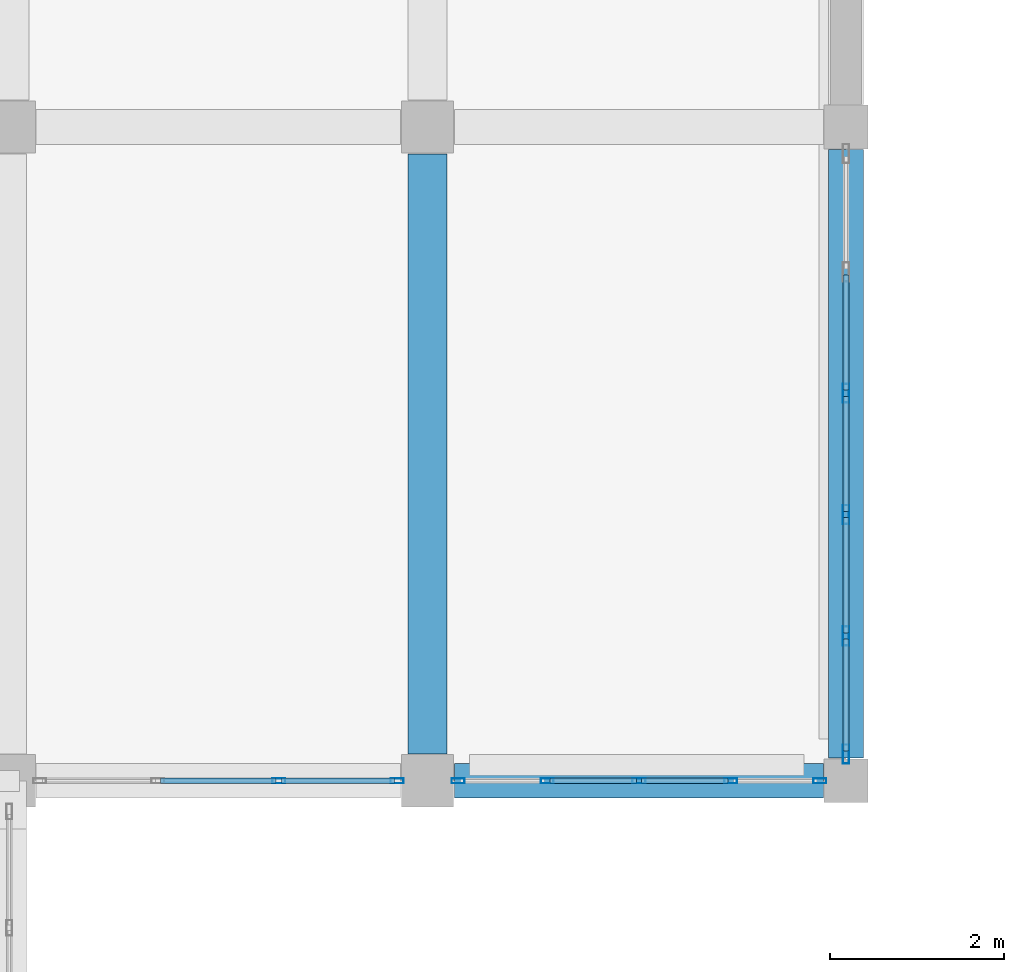
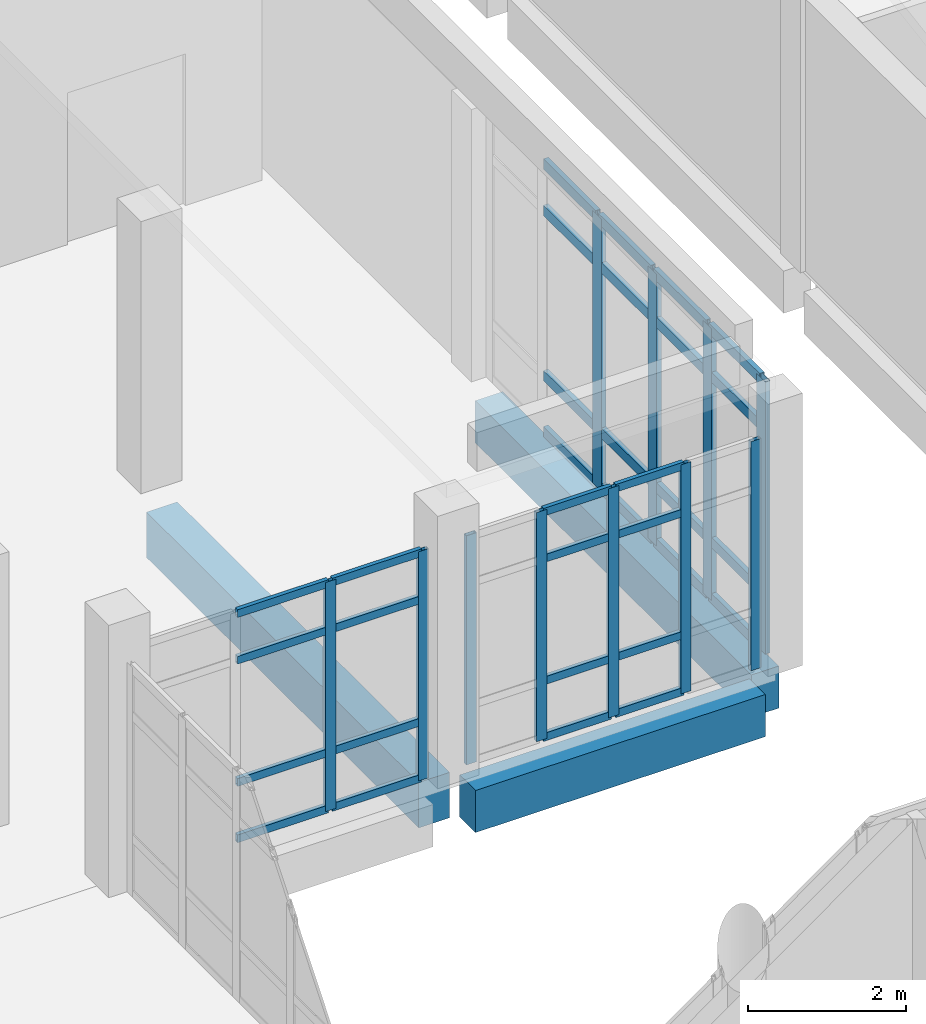
# One storey, part 97 of 164: 43 members, 3 beams, 3 elements without a shape of their own.
"""IFC4 building model written with IfcOpenShell, lengths in metres."""

from ifc_helpers import new_model, si_unit, direction, frame, origin, origin_2d, place, context, subcontext, project, spatial, rectangle, hollow_rectangle, extrude, material, layer, layer_set, material_profile, profile_set, type_object, element, aggregate, save


model = new_model("IFC4")

# Units and contexts
model_context = context("Model", 3, precision=1e-05, world=origin(), true_north=direction((0.0, 1.0)))
body_context = subcontext(model_context, "Body", "Model", "MODEL_VIEW")
ifc_project = project(units=[si_unit("LENGTHUNIT", "METRE"), si_unit("AREAUNIT", "SQUARE_METRE"), si_unit("VOLUMEUNIT", "CUBIC_METRE"), si_unit("PLANEANGLEUNIT", "RADIAN"), si_unit("MASSUNIT", "GRAM", prefix="KILO")], contexts=[model_context])

# Site, building, storey
site_placement = place(None, origin())
site = spatial("IfcSite", under=ifc_project, at=site_placement, CompositionType="ELEMENT")
building_placement = place(site_placement, origin())
building = spatial("IfcBuilding", under=site, at=building_placement, Name="Mawjan Specialist Oncology Clinic", CompositionType="ELEMENT")
storey_placement = place(building_placement, frame((0.0, 0.0, 5.0)))
storey = spatial("IfcBuildingStorey", under=building, at=storey_placement, Name="L01", CompositionType="ELEMENT", Elevation=5.0)

# Beam
ifc_material_1 = material(Name="Concrete C40/50", Category="concrete")
ifc_material_profile_1 = material_profile(ifc_material_1, rectangle(XDim=0.449951171875, YDim=0.699951171875, at=origin_2d()), Name="RC BM 450x700", Category="concrete")
ifc_profile_set_1 = profile_set([ifc_material_profile_1], Name="Concrete C40/50")
beam_type_1 = type_object("IfcBeamType", Name="BM-450x700", PredefinedType="BEAM", material=ifc_profile_set_1)
beam_1_placement = place(storey_placement, frame((98.39990234375, 83.610107421875, -0.64990234375), z_axis=(0.0, 1.0, 0.0), x_axis=(-1.0, 0.0, 0.0)))
element("IfcBeam", 1, at=beam_1_placement, inside=storey, type_object=beam_type_1, Name="L01 Collector Beam BM-L01-0546", PredefinedType="BEAM", context=body_context, shape_type="SweptSolid", body=[
    extrude(rectangle(XDim=0.449951171875, YDim=0.699951171875, at=origin_2d()), origin(), (0.0, 0.0, 1.0), 6.8798828125),
])

# Curtain wall, members
ifc_material_2 = material(Name="Unitised spectrally selective aluminium curtain wall", Category="aluminium")
ifc_layer_1 = layer(ifc_material_2, 0.179931640625, Name="Unitised spectrally selective aluminium curtain wall", Category="aluminium")
ifc_layer_set_1 = layer_set([ifc_layer_1], Name="Unitised spectrally selective aluminium curtain wall")
curtain_wall_type_1 = type_object("IfcCurtainWallType", Name="CW-66", PredefinedType="NOTDEFINED", material=ifc_layer_set_1)
curtain_wall_1_placement = place(storey_placement, origin())
curtain_wall_1 = element("IfcCurtainWall", 2, at=curtain_wall_1_placement, inside=storey, type_object=curtain_wall_type_1, Name="L01 Unitised Curtain Wall CW-L01-126", PredefinedType="NOTDEFINED")
ifc_material_3 = material(Name="Thermally broken aluminium 6063-T6", Category="aluminium")
ifc_material_profile_2 = material_profile(ifc_material_3, hollow_rectangle(XDim=0.06005859375, YDim=0.14990234375, WallThickness=0.00390625, at=origin_2d()), Name="ALU MULLION 150x60x4", Category="aluminium")
ifc_profile_set_2 = profile_set([ifc_material_profile_2], Name="Thermally broken aluminium 6063-T6")
member_type_1 = type_object("IfcMemberType", Name="CW-M150", PredefinedType="MULLION", material=ifc_profile_set_2)
member_1_placement = place(storey_placement, frame((102.89990234375, 83.300048828125, 0.0), z_axis=(0.0, 0.0, 1.0), x_axis=(0.0, -1.0, 0.0)))
member_1 = element("IfcMember", 3, at=member_1_placement, type_object=member_type_1, Name="CW-66 mullion 1", PredefinedType="MULLION", context=body_context, shape_type="SweptSolid", body=[
    extrude(hollow_rectangle(XDim=0.06005859375, YDim=0.14990234375, WallThickness=0.00390625, at=origin_2d()), origin(), (0.0, 0.0, 1.0), 3.534912109375),
])
member_2_placement = place(storey_placement, frame((101.87744140625, 83.300048828125, 0.0), z_axis=(0.0, 0.0, 1.0), x_axis=(0.0, -1.0, 0.0)))
member_2 = element("IfcMember", 4, at=member_2_placement, type_object=member_type_1, Name="CW-66 mullion 2", PredefinedType="MULLION", context=body_context, shape_type="SweptSolid", body=[
    extrude(hollow_rectangle(XDim=0.06005859375, YDim=0.14990234375, WallThickness=0.00390625, at=origin_2d()), origin(), (0.0, 0.0, 1.0), 3.534912109375),
])
member_3_placement = place(storey_placement, frame((100.824951171875, 83.300048828125, 0.0), z_axis=(0.0, 0.0, 1.0), x_axis=(0.0, -1.0, 0.0)))
member_3 = element("IfcMember", 5, at=member_3_placement, type_object=member_type_1, Name="CW-66 mullion 3", PredefinedType="MULLION", context=body_context, shape_type="SweptSolid", body=[
    extrude(hollow_rectangle(XDim=0.06005859375, YDim=0.14990234375, WallThickness=0.00390625, at=origin_2d()), origin(), (0.0, 0.0, 1.0), 3.534912109375),
])
member_4_placement = place(storey_placement, frame((99.7724609375, 83.300048828125, 0.0), z_axis=(0.0, 0.0, 1.0), x_axis=(0.0, -1.0, 0.0)))
member_4 = element("IfcMember", 6, at=member_4_placement, type_object=member_type_1, Name="CW-66 mullion 4", PredefinedType="MULLION", context=body_context, shape_type="SweptSolid", body=[
    extrude(hollow_rectangle(XDim=0.06005859375, YDim=0.14990234375, WallThickness=0.00390625, at=origin_2d()), origin(), (0.0, 0.0, 1.0), 3.534912109375),
])
member_5_placement = place(storey_placement, frame((98.75, 83.300048828125, 0.0), z_axis=(0.0, 0.0, 1.0), x_axis=(0.0, -1.0, 0.0)))
member_5 = element("IfcMember", 7, at=member_5_placement, type_object=member_type_1, Name="CW-66 mullion 5", PredefinedType="MULLION", context=body_context, shape_type="SweptSolid", body=[
    extrude(hollow_rectangle(XDim=0.06005859375, YDim=0.14990234375, WallThickness=0.00390625, at=origin_2d()), origin(), (0.0, 0.0, 1.0), 3.534912109375),
])

ifc_material_4 = material(Name="Unitised spectrally selective aluminium curtain wall", Category="aluminium")
ifc_layer_2 = layer(ifc_material_4, 0.179931640625, Name="Unitised spectrally selective aluminium curtain wall", Category="aluminium")
ifc_layer_set_2 = layer_set([ifc_layer_2], Name="Unitised spectrally selective aluminium curtain wall")
curtain_wall_type_2 = type_object("IfcCurtainWallType", Name="CW-59", PredefinedType="NOTDEFINED", material=ifc_layer_set_2)
curtain_wall_2_placement = place(storey_placement, origin())
curtain_wall_2 = element("IfcCurtainWall", 8, at=curtain_wall_2_placement, inside=storey, type_object=curtain_wall_type_2, Name="L01 Unitised Curtain Wall CW-L01-127", PredefinedType="NOTDEFINED")
member_6_placement = place(storey_placement, frame((98.050048828125, 83.300048828125, 0.0), z_axis=(0.0, 0.0, 1.0), x_axis=(0.0, -1.0, 0.0)))
member_6 = element("IfcMember", 9, at=member_6_placement, type_object=member_type_1, Name="CW-59 mullion 1", PredefinedType="MULLION", context=body_context, shape_type="SweptSolid", body=[
    extrude(hollow_rectangle(XDim=0.06005859375, YDim=0.14990234375, WallThickness=0.00390625, at=origin_2d()), origin(), (0.0, 0.0, 1.0), 3.534912109375),
])
member_7_placement = place(storey_placement, frame((96.693359375, 83.300048828125, 0.0), z_axis=(0.0, 0.0, 1.0), x_axis=(0.0, -1.0, 0.0)))
member_7 = element("IfcMember", 10, at=member_7_placement, type_object=member_type_1, Name="CW-59 mullion 2", PredefinedType="MULLION", context=body_context, shape_type="SweptSolid", body=[
    extrude(hollow_rectangle(XDim=0.06005859375, YDim=0.14990234375, WallThickness=0.00390625, at=origin_2d()), origin(), (0.0, 0.0, 1.0), 3.534912109375),
])

ifc_material_5 = material(Name="Unitised spectrally selective aluminium curtain wall", Category="aluminium")
ifc_layer_3 = layer(ifc_material_5, 0.179931640625, Name="Unitised spectrally selective aluminium curtain wall", Category="aluminium")
ifc_layer_set_3 = layer_set([ifc_layer_3], Name="Unitised spectrally selective aluminium curtain wall")
curtain_wall_type_3 = type_object("IfcCurtainWallType", Name="CW-65", PredefinedType="NOTDEFINED", material=ifc_layer_set_3)
curtain_wall_3_placement = place(storey_placement, origin())
curtain_wall_3 = element("IfcCurtainWall", 11, at=curtain_wall_3_placement, inside=storey, type_object=curtain_wall_type_3, Name="L01 Unitised Curtain Wall CW-L01-125", PredefinedType="NOTDEFINED")
ifc_material_6 = material(Name="Thermally broken aluminium 6063-T6", Category="aluminium")
ifc_material_profile_3 = material_profile(ifc_material_6, hollow_rectangle(XDim=0.070068359375, YDim=0.219970703125, WallThickness=0.00390625, at=origin_2d()), Name="ALU MULLION 220x70x4", Category="aluminium")
ifc_profile_set_3 = profile_set([ifc_material_profile_3], Name="Thermally broken aluminium 6063-T6")
member_type_2 = type_object("IfcMemberType", Name="CW-M220", PredefinedType="MULLION", material=ifc_profile_set_3)
member_8_placement = place(storey_placement, frame((103.199951171875, 87.74609375, 0.0), z_axis=(0.0, 0.0, 1.0), x_axis=(1.0, 0.0, 0.0)))
member_8 = element("IfcMember", 12, at=member_8_placement, type_object=member_type_2, Name="CW-65 mullion 3", PredefinedType="MULLION", context=body_context, shape_type="SweptSolid", body=[
    extrude(hollow_rectangle(XDim=0.070068359375, YDim=0.219970703125, WallThickness=0.00390625, at=origin_2d()), origin(), (0.0, 0.0, 1.0), 4.199951171875),
])
member_9_placement = place(storey_placement, frame((103.199951171875, 86.35400390625, 0.0), z_axis=(0.0, 0.0, 1.0), x_axis=(1.0, 0.0, 0.0)))
member_9 = element("IfcMember", 13, at=member_9_placement, type_object=member_type_2, Name="CW-65 mullion 4", PredefinedType="MULLION", context=body_context, shape_type="SweptSolid", body=[
    extrude(hollow_rectangle(XDim=0.070068359375, YDim=0.219970703125, WallThickness=0.00390625, at=origin_2d()), origin(), (0.0, 0.0, 1.0), 4.199951171875),
])
member_10_placement = place(storey_placement, frame((103.199951171875, 84.9619140625, 0.0), z_axis=(0.0, 0.0, 1.0), x_axis=(1.0, 0.0, 0.0)))
member_10 = element("IfcMember", 14, at=member_10_placement, type_object=member_type_2, Name="CW-65 mullion 5", PredefinedType="MULLION", context=body_context, shape_type="SweptSolid", body=[
    extrude(hollow_rectangle(XDim=0.070068359375, YDim=0.219970703125, WallThickness=0.00390625, at=origin_2d()), origin(), (0.0, 0.0, 1.0), 4.199951171875),
])
member_11_placement = place(storey_placement, frame((103.199951171875, 83.60498046875, 0.0), z_axis=(0.0, 0.0, 1.0), x_axis=(1.0, 0.0, 0.0)))
member_11 = element("IfcMember", 15, at=member_11_placement, type_object=member_type_2, Name="CW-65 mullion 6", PredefinedType="MULLION", context=body_context, shape_type="SweptSolid", body=[
    extrude(hollow_rectangle(XDim=0.070068359375, YDim=0.219970703125, WallThickness=0.00390625, at=origin_2d()), origin(), (0.0, 0.0, 1.0), 4.199951171875),
])

# Member
ifc_material_7 = material(Name="Thermally broken aluminium 6063-T6", Category="aluminium")
ifc_material_profile_4 = material_profile(ifc_material_7, hollow_rectangle(XDim=0.06005859375, YDim=0.1201171875, WallThickness=0.00390625, at=origin_2d()), Name="ALU TRANSOM 120x60x4", Category="aluminium")
ifc_profile_set_4 = profile_set([ifc_material_profile_4], Name="Thermally broken aluminium 6063-T6")
member_type_3 = type_object("IfcMemberType", Name="CW-T120", PredefinedType="USERDEFINED", material=ifc_profile_set_4)
member_12_placement = place(storey_placement, frame((101.847412109375, 83.300048828125, 0.030029296875), z_axis=(-1.0, 0.0, 0.0), x_axis=(0.0, -1.0, 0.0)))
member_12 = element("IfcMember", 16, at=member_12_placement, type_object=member_type_3, Name="CW-66 transom 2.1", ObjectType="TRANSOM", PredefinedType="USERDEFINED", context=body_context, shape_type="SweptSolid", body=[
    extrude(hollow_rectangle(XDim=0.06005859375, YDim=0.1201171875, WallThickness=0.00390625, at=origin_2d()), origin(), (0.0, 0.0, 1.0), 0.992431640625),
])

member_13_placement = place(storey_placement, frame((101.847412109375, 83.300048828125, 0.89990234375), z_axis=(-1.0, 0.0, 0.0), x_axis=(0.0, -1.0, 0.0)))
member_13 = element("IfcMember", 17, at=member_13_placement, type_object=member_type_3, Name="CW-66 transom 2.2", ObjectType="TRANSOM", PredefinedType="USERDEFINED", context=body_context, shape_type="SweptSolid", body=[
    extrude(hollow_rectangle(XDim=0.06005859375, YDim=0.1201171875, WallThickness=0.00390625, at=origin_2d()), origin(), (0.0, 0.0, 1.0), 0.992431640625),
])

member_14_placement = place(storey_placement, frame((101.847412109375, 83.300048828125, 2.784912109375), z_axis=(-1.0, 0.0, 0.0), x_axis=(0.0, -1.0, 0.0)))
member_14 = element("IfcMember", 18, at=member_14_placement, type_object=member_type_3, Name="CW-66 transom 2.3", ObjectType="TRANSOM", PredefinedType="USERDEFINED", context=body_context, shape_type="SweptSolid", body=[
    extrude(hollow_rectangle(XDim=0.06005859375, YDim=0.1201171875, WallThickness=0.00390625, at=origin_2d()), origin(), (0.0, 0.0, 1.0), 0.992431640625),
])

member_15_placement = place(storey_placement, frame((101.847412109375, 83.300048828125, 3.5048828125), z_axis=(-1.0, 0.0, 0.0), x_axis=(0.0, -1.0, 0.0)))
member_15 = element("IfcMember", 19, at=member_15_placement, type_object=member_type_3, Name="CW-66 transom 2.4", ObjectType="TRANSOM", PredefinedType="USERDEFINED", context=body_context, shape_type="SweptSolid", body=[
    extrude(hollow_rectangle(XDim=0.06005859375, YDim=0.1201171875, WallThickness=0.00390625, at=origin_2d()), origin(), (0.0, 0.0, 1.0), 0.992431640625),
])

member_16_placement = place(storey_placement, frame((100.794921875, 83.300048828125, 0.030029296875), z_axis=(-1.0, 0.0, 0.0), x_axis=(0.0, -1.0, 0.0)))
member_16 = element("IfcMember", 20, at=member_16_placement, type_object=member_type_3, Name="CW-66 transom 3.1", ObjectType="TRANSOM", PredefinedType="USERDEFINED", context=body_context, shape_type="SweptSolid", body=[
    extrude(hollow_rectangle(XDim=0.06005859375, YDim=0.1201171875, WallThickness=0.00390625, at=origin_2d()), origin(), (0.0, 0.0, 1.0), 0.992431640625),
])

member_17_placement = place(storey_placement, frame((100.794921875, 83.300048828125, 0.89990234375), z_axis=(-1.0, 0.0, 0.0), x_axis=(0.0, -1.0, 0.0)))
member_17 = element("IfcMember", 21, at=member_17_placement, type_object=member_type_3, Name="CW-66 transom 3.2", ObjectType="TRANSOM", PredefinedType="USERDEFINED", context=body_context, shape_type="SweptSolid", body=[
    extrude(hollow_rectangle(XDim=0.06005859375, YDim=0.1201171875, WallThickness=0.00390625, at=origin_2d()), origin(), (0.0, 0.0, 1.0), 0.992431640625),
])

member_18_placement = place(storey_placement, frame((100.794921875, 83.300048828125, 2.784912109375), z_axis=(-1.0, 0.0, 0.0), x_axis=(0.0, -1.0, 0.0)))
member_18 = element("IfcMember", 22, at=member_18_placement, type_object=member_type_3, Name="CW-66 transom 3.3", ObjectType="TRANSOM", PredefinedType="USERDEFINED", context=body_context, shape_type="SweptSolid", body=[
    extrude(hollow_rectangle(XDim=0.06005859375, YDim=0.1201171875, WallThickness=0.00390625, at=origin_2d()), origin(), (0.0, 0.0, 1.0), 0.992431640625),
])

member_19_placement = place(storey_placement, frame((100.794921875, 83.300048828125, 3.5048828125), z_axis=(-1.0, 0.0, 0.0), x_axis=(0.0, -1.0, 0.0)))
member_19 = element("IfcMember", 23, at=member_19_placement, type_object=member_type_3, Name="CW-66 transom 3.4", ObjectType="TRANSOM", PredefinedType="USERDEFINED", context=body_context, shape_type="SweptSolid", body=[
    extrude(hollow_rectangle(XDim=0.06005859375, YDim=0.1201171875, WallThickness=0.00390625, at=origin_2d()), origin(), (0.0, 0.0, 1.0), 0.992431640625),
])

aggregate(curtain_wall_1, [member_1, member_2, member_3, member_4, member_5, member_12, member_13, member_14, member_15, member_16, member_17, member_18, member_19])

member_20_placement = place(storey_placement, frame((98.02001953125, 83.300048828125, 0.030029296875), z_axis=(-1.0, 0.0, 0.0), x_axis=(0.0, -1.0, 0.0)))
member_20 = element("IfcMember", 24, at=member_20_placement, type_object=member_type_3, Name="CW-59 transom 1.1", ObjectType="TRANSOM", PredefinedType="USERDEFINED", context=body_context, shape_type="SweptSolid", body=[
    extrude(hollow_rectangle(XDim=0.06005859375, YDim=0.1201171875, WallThickness=0.00390625, at=origin_2d()), origin(), (0.0, 0.0, 1.0), 1.296630859375),
])

member_21_placement = place(storey_placement, frame((98.02001953125, 83.300048828125, 0.89990234375), z_axis=(-1.0, 0.0, 0.0), x_axis=(0.0, -1.0, 0.0)))
member_21 = element("IfcMember", 25, at=member_21_placement, type_object=member_type_3, Name="CW-59 transom 1.2", ObjectType="TRANSOM", PredefinedType="USERDEFINED", context=body_context, shape_type="SweptSolid", body=[
    extrude(hollow_rectangle(XDim=0.06005859375, YDim=0.1201171875, WallThickness=0.00390625, at=origin_2d()), origin(), (0.0, 0.0, 1.0), 1.296630859375),
])

member_22_placement = place(storey_placement, frame((98.02001953125, 83.300048828125, 2.784912109375), z_axis=(-1.0, 0.0, 0.0), x_axis=(0.0, -1.0, 0.0)))
member_22 = element("IfcMember", 26, at=member_22_placement, type_object=member_type_3, Name="CW-59 transom 1.3", ObjectType="TRANSOM", PredefinedType="USERDEFINED", context=body_context, shape_type="SweptSolid", body=[
    extrude(hollow_rectangle(XDim=0.06005859375, YDim=0.1201171875, WallThickness=0.00390625, at=origin_2d()), origin(), (0.0, 0.0, 1.0), 1.296630859375),
])

member_23_placement = place(storey_placement, frame((98.02001953125, 83.300048828125, 3.5048828125), z_axis=(-1.0, 0.0, 0.0), x_axis=(0.0, -1.0, 0.0)))
member_23 = element("IfcMember", 27, at=member_23_placement, type_object=member_type_3, Name="CW-59 transom 1.4", ObjectType="TRANSOM", PredefinedType="USERDEFINED", context=body_context, shape_type="SweptSolid", body=[
    extrude(hollow_rectangle(XDim=0.06005859375, YDim=0.1201171875, WallThickness=0.00390625, at=origin_2d()), origin(), (0.0, 0.0, 1.0), 1.296630859375),
])

member_24_placement = place(storey_placement, frame((96.663330078125, 83.300048828125, 0.030029296875), z_axis=(-1.0, 0.0, 0.0), x_axis=(0.0, -1.0, 0.0)))
member_24 = element("IfcMember", 28, at=member_24_placement, type_object=member_type_3, Name="CW-59 transom 2.1", ObjectType="TRANSOM", PredefinedType="USERDEFINED", context=body_context, shape_type="SweptSolid", body=[
    extrude(hollow_rectangle(XDim=0.06005859375, YDim=0.1201171875, WallThickness=0.00390625, at=origin_2d()), origin(), (0.0, 0.0, 1.0), 1.32666015625),
])

member_25_placement = place(storey_placement, frame((96.663330078125, 83.300048828125, 0.89990234375), z_axis=(-1.0, 0.0, 0.0), x_axis=(0.0, -1.0, 0.0)))
member_25 = element("IfcMember", 29, at=member_25_placement, type_object=member_type_3, Name="CW-59 transom 2.2", ObjectType="TRANSOM", PredefinedType="USERDEFINED", context=body_context, shape_type="SweptSolid", body=[
    extrude(hollow_rectangle(XDim=0.06005859375, YDim=0.1201171875, WallThickness=0.00390625, at=origin_2d()), origin(), (0.0, 0.0, 1.0), 1.32666015625),
])

member_26_placement = place(storey_placement, frame((96.663330078125, 83.300048828125, 2.784912109375), z_axis=(-1.0, 0.0, 0.0), x_axis=(0.0, -1.0, 0.0)))
member_26 = element("IfcMember", 30, at=member_26_placement, type_object=member_type_3, Name="CW-59 transom 2.3", ObjectType="TRANSOM", PredefinedType="USERDEFINED", context=body_context, shape_type="SweptSolid", body=[
    extrude(hollow_rectangle(XDim=0.06005859375, YDim=0.1201171875, WallThickness=0.00390625, at=origin_2d()), origin(), (0.0, 0.0, 1.0), 1.32666015625),
])

member_27_placement = place(storey_placement, frame((96.663330078125, 83.300048828125, 3.5048828125), z_axis=(-1.0, 0.0, 0.0), x_axis=(0.0, -1.0, 0.0)))
member_27 = element("IfcMember", 31, at=member_27_placement, type_object=member_type_3, Name="CW-59 transom 2.4", ObjectType="TRANSOM", PredefinedType="USERDEFINED", context=body_context, shape_type="SweptSolid", body=[
    extrude(hollow_rectangle(XDim=0.06005859375, YDim=0.1201171875, WallThickness=0.00390625, at=origin_2d()), origin(), (0.0, 0.0, 1.0), 1.32666015625),
])

aggregate(curtain_wall_2, [member_6, member_7, member_20, member_21, member_22, member_23, member_24, member_25, member_26, member_27])

ifc_material_8 = material(Name="Thermally broken aluminium 6063-T6", Category="aluminium")
ifc_material_profile_5 = material_profile(ifc_material_8, hollow_rectangle(XDim=0.070068359375, YDim=0.159912109375, WallThickness=0.00390625, at=origin_2d()), Name="ALU TRANSOM 160x70x4", Category="aluminium")
ifc_profile_set_5 = profile_set([ifc_material_profile_5], Name="Thermally broken aluminium 6063-T6")
member_type_4 = type_object("IfcMemberType", Name="CW-T160", PredefinedType="USERDEFINED", material=ifc_profile_set_5)
member_28_placement = place(storey_placement, frame((103.199951171875, 89.10302734375, 0.034912109375), z_axis=(0.0, -1.0, 0.0), x_axis=(1.0, 0.0, 0.0)))
member_28 = element("IfcMember", 32, at=member_28_placement, type_object=member_type_4, Name="CW-65 transom 2.1", ObjectType="TRANSOM", PredefinedType="USERDEFINED", context=body_context, shape_type="SweptSolid", body=[
    extrude(hollow_rectangle(XDim=0.070068359375, YDim=0.159912109375, WallThickness=0.00390625, at=origin_2d()), origin(), (0.0, 0.0, 1.0), 1.322021484375),
])

member_29_placement = place(storey_placement, frame((103.199951171875, 89.10302734375, 0.89990234375), z_axis=(0.0, -1.0, 0.0), x_axis=(1.0, 0.0, 0.0)))
member_29 = element("IfcMember", 33, at=member_29_placement, type_object=member_type_4, Name="CW-65 transom 2.2", ObjectType="TRANSOM", PredefinedType="USERDEFINED", context=body_context, shape_type="SweptSolid", body=[
    extrude(hollow_rectangle(XDim=0.070068359375, YDim=0.159912109375, WallThickness=0.00390625, at=origin_2d()), origin(), (0.0, 0.0, 1.0), 1.322021484375),
])

member_30_placement = place(storey_placement, frame((103.199951171875, 89.10302734375, 3.449951171875), z_axis=(0.0, -1.0, 0.0), x_axis=(1.0, 0.0, 0.0)))
member_30 = element("IfcMember", 34, at=member_30_placement, type_object=member_type_4, Name="CW-65 transom 2.3", ObjectType="TRANSOM", PredefinedType="USERDEFINED", context=body_context, shape_type="SweptSolid", body=[
    extrude(hollow_rectangle(XDim=0.070068359375, YDim=0.159912109375, WallThickness=0.00390625, at=origin_2d()), origin(), (0.0, 0.0, 1.0), 1.322021484375),
])

member_31_placement = place(storey_placement, frame((103.199951171875, 89.10302734375, 4.1650390625), z_axis=(0.0, -1.0, 0.0), x_axis=(1.0, 0.0, 0.0)))
member_31 = element("IfcMember", 35, at=member_31_placement, type_object=member_type_4, Name="CW-65 transom 2.4", ObjectType="TRANSOM", PredefinedType="USERDEFINED", context=body_context, shape_type="SweptSolid", body=[
    extrude(hollow_rectangle(XDim=0.070068359375, YDim=0.159912109375, WallThickness=0.00390625, at=origin_2d()), origin(), (0.0, 0.0, 1.0), 1.322021484375),
])

member_32_placement = place(storey_placement, frame((103.199951171875, 87.7109375, 0.034912109375), z_axis=(0.0, -1.0, 0.0), x_axis=(1.0, 0.0, 0.0)))
member_32 = element("IfcMember", 36, at=member_32_placement, type_object=member_type_4, Name="CW-65 transom 3.1", ObjectType="TRANSOM", PredefinedType="USERDEFINED", context=body_context, shape_type="SweptSolid", body=[
    extrude(hollow_rectangle(XDim=0.070068359375, YDim=0.159912109375, WallThickness=0.00390625, at=origin_2d()), origin(), (0.0, 0.0, 1.0), 1.322021484375),
])

member_33_placement = place(storey_placement, frame((103.199951171875, 87.7109375, 0.89990234375), z_axis=(0.0, -1.0, 0.0), x_axis=(1.0, 0.0, 0.0)))
member_33 = element("IfcMember", 37, at=member_33_placement, type_object=member_type_4, Name="CW-65 transom 3.2", ObjectType="TRANSOM", PredefinedType="USERDEFINED", context=body_context, shape_type="SweptSolid", body=[
    extrude(hollow_rectangle(XDim=0.070068359375, YDim=0.159912109375, WallThickness=0.00390625, at=origin_2d()), origin(), (0.0, 0.0, 1.0), 1.322021484375),
])

member_34_placement = place(storey_placement, frame((103.199951171875, 87.7109375, 3.449951171875), z_axis=(0.0, -1.0, 0.0), x_axis=(1.0, 0.0, 0.0)))
member_34 = element("IfcMember", 38, at=member_34_placement, type_object=member_type_4, Name="CW-65 transom 3.3", ObjectType="TRANSOM", PredefinedType="USERDEFINED", context=body_context, shape_type="SweptSolid", body=[
    extrude(hollow_rectangle(XDim=0.070068359375, YDim=0.159912109375, WallThickness=0.00390625, at=origin_2d()), origin(), (0.0, 0.0, 1.0), 1.322021484375),
])

member_35_placement = place(storey_placement, frame((103.199951171875, 87.7109375, 4.1650390625), z_axis=(0.0, -1.0, 0.0), x_axis=(1.0, 0.0, 0.0)))
member_35 = element("IfcMember", 39, at=member_35_placement, type_object=member_type_4, Name="CW-65 transom 3.4", ObjectType="TRANSOM", PredefinedType="USERDEFINED", context=body_context, shape_type="SweptSolid", body=[
    extrude(hollow_rectangle(XDim=0.070068359375, YDim=0.159912109375, WallThickness=0.00390625, at=origin_2d()), origin(), (0.0, 0.0, 1.0), 1.322021484375),
])

member_36_placement = place(storey_placement, frame((103.199951171875, 86.319091796875, 0.034912109375), z_axis=(0.0, -1.0, 0.0), x_axis=(1.0, 0.0, 0.0)))
member_36 = element("IfcMember", 40, at=member_36_placement, type_object=member_type_4, Name="CW-65 transom 4.1", ObjectType="TRANSOM", PredefinedType="USERDEFINED", context=body_context, shape_type="SweptSolid", body=[
    extrude(hollow_rectangle(XDim=0.070068359375, YDim=0.159912109375, WallThickness=0.00390625, at=origin_2d()), origin(), (0.0, 0.0, 1.0), 1.322021484375),
])

member_37_placement = place(storey_placement, frame((103.199951171875, 86.319091796875, 0.89990234375), z_axis=(0.0, -1.0, 0.0), x_axis=(1.0, 0.0, 0.0)))
member_37 = element("IfcMember", 41, at=member_37_placement, type_object=member_type_4, Name="CW-65 transom 4.2", ObjectType="TRANSOM", PredefinedType="USERDEFINED", context=body_context, shape_type="SweptSolid", body=[
    extrude(hollow_rectangle(XDim=0.070068359375, YDim=0.159912109375, WallThickness=0.00390625, at=origin_2d()), origin(), (0.0, 0.0, 1.0), 1.322021484375),
])

member_38_placement = place(storey_placement, frame((103.199951171875, 86.319091796875, 3.449951171875), z_axis=(0.0, -1.0, 0.0), x_axis=(1.0, 0.0, 0.0)))
member_38 = element("IfcMember", 42, at=member_38_placement, type_object=member_type_4, Name="CW-65 transom 4.3", ObjectType="TRANSOM", PredefinedType="USERDEFINED", context=body_context, shape_type="SweptSolid", body=[
    extrude(hollow_rectangle(XDim=0.070068359375, YDim=0.159912109375, WallThickness=0.00390625, at=origin_2d()), origin(), (0.0, 0.0, 1.0), 1.322021484375),
])

member_39_placement = place(storey_placement, frame((103.199951171875, 86.319091796875, 4.1650390625), z_axis=(0.0, -1.0, 0.0), x_axis=(1.0, 0.0, 0.0)))
member_39 = element("IfcMember", 43, at=member_39_placement, type_object=member_type_4, Name="CW-65 transom 4.4", ObjectType="TRANSOM", PredefinedType="USERDEFINED", context=body_context, shape_type="SweptSolid", body=[
    extrude(hollow_rectangle(XDim=0.070068359375, YDim=0.159912109375, WallThickness=0.00390625, at=origin_2d()), origin(), (0.0, 0.0, 1.0), 1.322021484375),
])

member_40_placement = place(storey_placement, frame((103.199951171875, 84.927001953125, 0.034912109375), z_axis=(0.0, -1.0, 0.0), x_axis=(1.0, 0.0, 0.0)))
member_40 = element("IfcMember", 44, at=member_40_placement, type_object=member_type_4, Name="CW-65 transom 5.1", ObjectType="TRANSOM", PredefinedType="USERDEFINED", context=body_context, shape_type="SweptSolid", body=[
    extrude(hollow_rectangle(XDim=0.070068359375, YDim=0.159912109375, WallThickness=0.00390625, at=origin_2d()), origin(), (0.0, 0.0, 1.0), 1.287109375),
])

member_41_placement = place(storey_placement, frame((103.199951171875, 84.927001953125, 0.89990234375), z_axis=(0.0, -1.0, 0.0), x_axis=(1.0, 0.0, 0.0)))
member_41 = element("IfcMember", 45, at=member_41_placement, type_object=member_type_4, Name="CW-65 transom 5.2", ObjectType="TRANSOM", PredefinedType="USERDEFINED", context=body_context, shape_type="SweptSolid", body=[
    extrude(hollow_rectangle(XDim=0.070068359375, YDim=0.159912109375, WallThickness=0.00390625, at=origin_2d()), origin(), (0.0, 0.0, 1.0), 1.287109375),
])

member_42_placement = place(storey_placement, frame((103.199951171875, 84.927001953125, 3.449951171875), z_axis=(0.0, -1.0, 0.0), x_axis=(1.0, 0.0, 0.0)))
member_42 = element("IfcMember", 46, at=member_42_placement, type_object=member_type_4, Name="CW-65 transom 5.3", ObjectType="TRANSOM", PredefinedType="USERDEFINED", context=body_context, shape_type="SweptSolid", body=[
    extrude(hollow_rectangle(XDim=0.070068359375, YDim=0.159912109375, WallThickness=0.00390625, at=origin_2d()), origin(), (0.0, 0.0, 1.0), 1.287109375),
])

member_43_placement = place(storey_placement, frame((103.199951171875, 84.927001953125, 4.1650390625), z_axis=(0.0, -1.0, 0.0), x_axis=(1.0, 0.0, 0.0)))
member_43 = element("IfcMember", 47, at=member_43_placement, type_object=member_type_4, Name="CW-65 transom 5.4", ObjectType="TRANSOM", PredefinedType="USERDEFINED", context=body_context, shape_type="SweptSolid", body=[
    extrude(hollow_rectangle(XDim=0.070068359375, YDim=0.159912109375, WallThickness=0.00390625, at=origin_2d()), origin(), (0.0, 0.0, 1.0), 1.287109375),
])

aggregate(curtain_wall_3, [member_8, member_9, member_10, member_11, member_28, member_29, member_30, member_31, member_32, member_33, member_34, member_35, member_36, member_37, member_38, member_39, member_40, member_41, member_42, member_43])

# Beams
ifc_material_9 = material(Name="Concrete C45/55", Category="concrete")
ifc_material_profile_6 = material_profile(ifc_material_9, rectangle(XDim=0.39990234375, YDim=0.64990234375, at=origin_2d()), Name="RC BM 400x650", Category="concrete")
ifc_profile_set_6 = profile_set([ifc_material_profile_6], Name="Concrete C45/55")
beam_type_2 = type_object("IfcBeamType", Name="SP-400x650", PredefinedType="SPANDREL", material=ifc_profile_set_6)
beam_2_placement = place(storey_placement, frame((98.7099609375, 83.300048828125, -0.625), z_axis=(1.0, 0.0, 0.0), x_axis=(0.0, 1.0, 0.0)))
element("IfcBeam", 48, at=beam_2_placement, inside=storey, type_object=beam_type_2, Name="L01 Spandrel Beam BM-L01-0351", PredefinedType="SPANDREL", context=body_context, shape_type="SweptSolid", body=[
    extrude(rectangle(XDim=0.39990234375, YDim=0.64990234375, at=origin_2d()), origin(), (0.0, 0.0, 1.0), 4.22998046875),
])
beam_3_placement = place(storey_placement, frame((103.199951171875, 83.56005859375, -0.625), z_axis=(0.0, 1.0, 0.0), x_axis=(-1.0, 0.0, 0.0)))
element("IfcBeam", 49, at=beam_3_placement, inside=storey, type_object=beam_type_2, Name="L01 Spandrel Beam BM-L01-0553", PredefinedType="SPANDREL", context=body_context, shape_type="SweptSolid", body=[
    extrude(rectangle(XDim=0.39990234375, YDim=0.64990234375, at=origin_2d()), origin(), (0.0, 0.0, 1.0), 6.97998046875),
])

save(model, "model.ifc")
